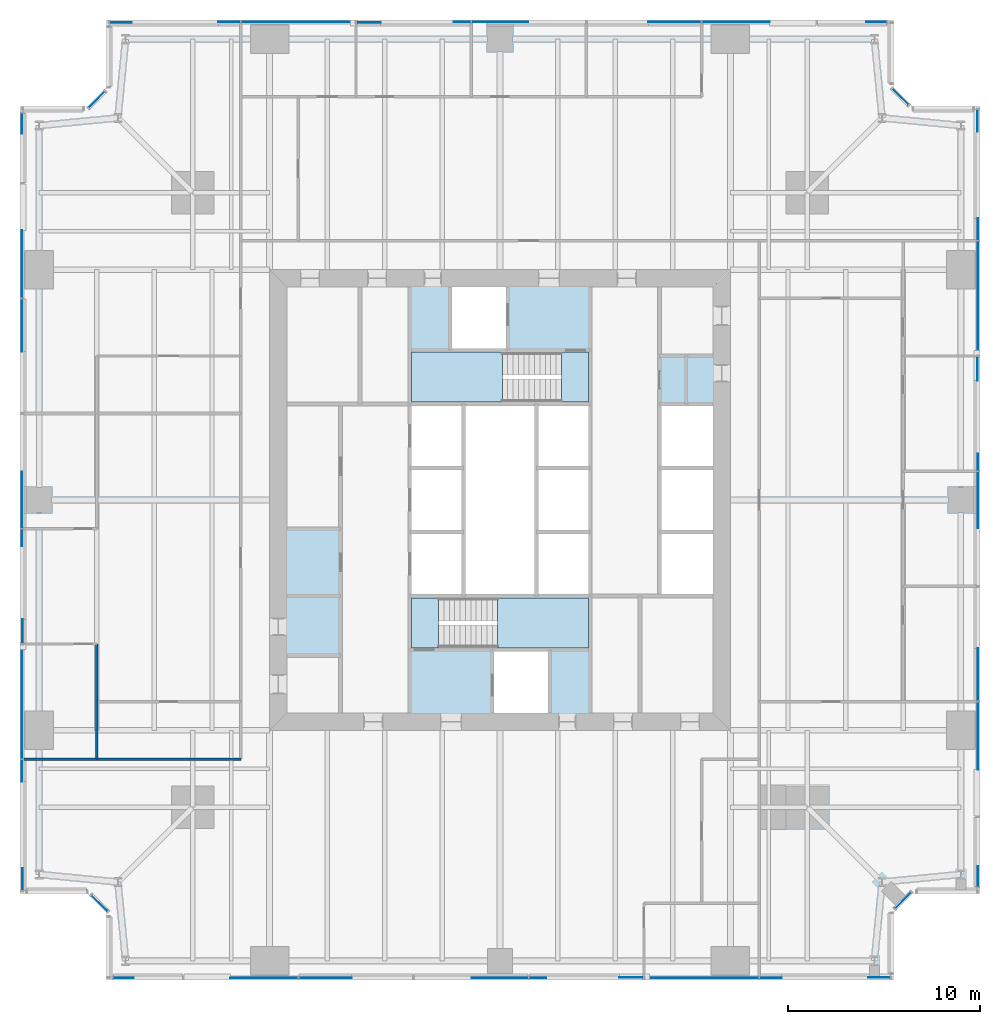
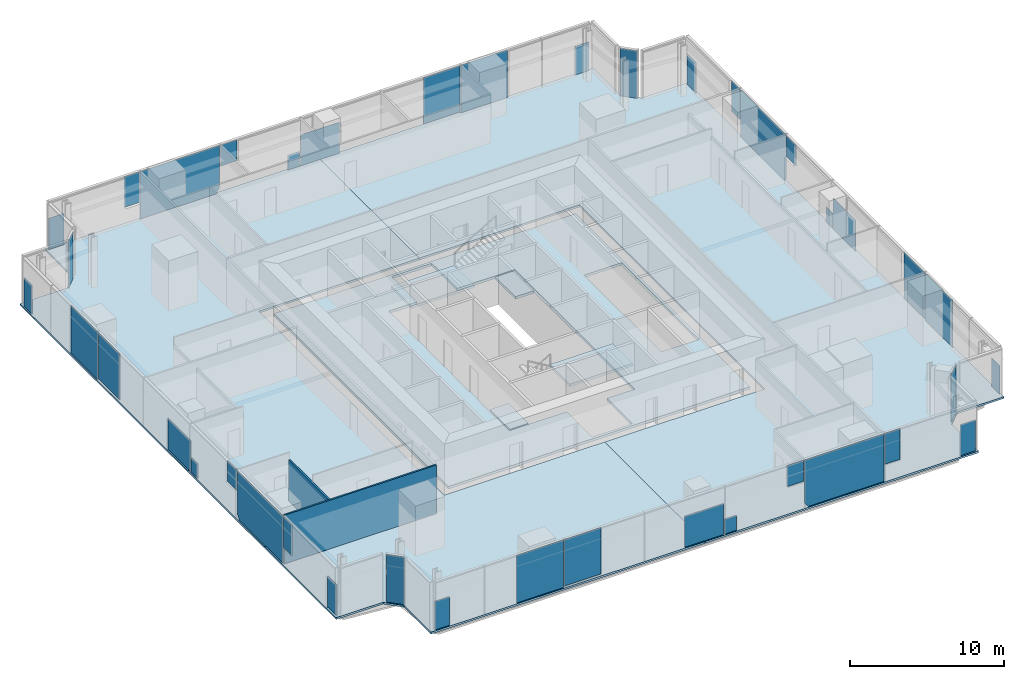
# One storey, part 8 of 13: 40 plates, 7 slabs, 2 walls, 10 elements without a shape of their own.
"""IFC4 building model written with IfcOpenShell, lengths in metres."""

from ifc_helpers import new_model, si_unit, direction, frame, frame_2d, origin, origin_2d, place, context, subcontext, project, spatial, polyline, rectangle, outline, extrude, material, layer, layer_set, type_object, element, aggregate, save


model = new_model("IFC4")

# Units and contexts
model_context = context("Model", 3, precision=1e-05, world=origin(), true_north=direction((0.0, 1.0)))
body_context = subcontext(model_context, "Body", "Model", "MODEL_VIEW")
ifc_project = project(units=[si_unit("LENGTHUNIT", "METRE"), si_unit("AREAUNIT", "SQUARE_METRE"), si_unit("VOLUMEUNIT", "CUBIC_METRE"), si_unit("PLANEANGLEUNIT", "RADIAN"), si_unit("MASSUNIT", "GRAM", prefix="KILO")], contexts=[model_context])

# Site, building, storey
site_placement = place(None, origin())
site = spatial("IfcSite", under=ifc_project, at=site_placement, CompositionType="ELEMENT")
building_placement = place(site_placement, origin())
building = spatial("IfcBuilding", under=site, at=building_placement, Name="Fenwick Lantern Interchange", CompositionType="ELEMENT")
storey_placement = place(building_placement, frame((0.0, 0.0, 138.39990234375)))
storey = spatial("IfcBuildingStorey", under=building, at=storey_placement, Name="L32", CompositionType="ELEMENT", Elevation=138.39990234375)

# Slabs
ifc_material_1 = material(Name="Concrete f'c 35 MPa", Category="concrete")
ifc_layer_1 = layer(ifc_material_1, 0.199951171875)
ifc_layer_set_1 = layer_set([ifc_layer_1], Name="CORE FLOOR SLAB 200")
slab_type_1 = type_object("IfcSlabType", Name="CORE FLOOR SLAB 200", PredefinedType="FLOOR", material=ifc_layer_set_1)
slab_1_placement = place(storey_placement, frame((0.0, 0.0, -0.199951171875)))
element("IfcSlab", 1, at=slab_1_placement, inside=storey, type_object=slab_type_1, Name="L32/SLAB/CORE", PredefinedType="FLOOR", context=body_context, shape_type="SweptSolid", body=[
    extrude(outline(polyline([(13.699951171875, 36.300048828125), (36.300048828125, 36.300048828125), (36.300048828125, 13.699951171875), (13.699951171875, 13.699951171875), (13.699951171875, 36.300048828125)]), holes=[polyline([(29.699951171875, 17.199951171875), (29.699951171875, 20.0), (29.699951171875, 23.333251953125), (29.699951171875, 26.666748046875), (29.699951171875, 30.0), (29.699951171875, 32.800048828125), (25.39990234375, 32.800048828125), (25.39990234375, 36.10009765625), (22.39990234375, 36.10009765625), (22.39990234375, 32.800048828125), (20.300048828125, 32.800048828125), (20.300048828125, 30.0), (20.300048828125, 26.666748046875), (20.300048828125, 23.333251953125), (20.300048828125, 20.0), (20.300048828125, 17.199951171875), (24.60009765625, 17.199951171875), (24.60009765625, 13.89990234375), (27.60009765625, 13.89990234375), (27.60009765625, 17.199951171875), (29.699951171875, 17.199951171875)]), polyline([(33.300048828125, 23.333251953125), (33.300048828125, 20.0), (36.10009765625, 20.0), (36.10009765625, 23.333251953125), (36.10009765625, 26.666748046875), (36.10009765625, 30.0), (33.300048828125, 30.0), (33.300048828125, 26.666748046875), (33.300048828125, 23.333251953125)])]), origin(), (0.0, 0.0, 1.0), 0.199951171875),
])
ifc_material_2 = material(Name="Concrete f'c 35 MPa", Category="concrete")
ifc_layer_2 = layer(ifc_material_2, 0.14990234375)
ifc_layer_set_2 = layer_set([ifc_layer_2], Name="Concrete f'c 35 MPa")
slab_type_2 = type_object("IfcSlabType", Name="FLOOR SLAB 150", PredefinedType="FLOOR", material=ifc_layer_set_2)
slab_2_placement = place(storey_placement, frame((0.0, 0.0, -0.14990234375)))
element("IfcSlab", 2, at=slab_2_placement, inside=storey, type_object=slab_type_2, Name="L32/SLAB/FW", PredefinedType="FLOOR", context=body_context, shape_type="SweptSolid", body=[
    extrude(outline(polyline([(4.5, 0.0), (4.5, 3.5), (3.5, 4.5), (0.0, 4.5), (0.0, 45.5), (3.5, 45.5), (4.5, 46.5), (4.5, 50.0), (25.0, 50.0), (25.0, 37.0), (13.0, 37.0), (13.0, 13.0), (25.0, 13.0), (25.0, 0.0), (4.5, 0.0)])), origin(), (0.0, 0.0, 1.0), 0.14990234375),
])
slab_3_placement = place(storey_placement, frame((0.0, 0.0, -0.14990234375)))
element("IfcSlab", 3, at=slab_3_placement, inside=storey, type_object=slab_type_2, Name="L32/SLAB/FE", PredefinedType="FLOOR", context=body_context, shape_type="SweptSolid", body=[
    extrude(outline(polyline([(45.5, 50.0), (45.5, 46.5), (46.5, 45.5), (50.0, 45.5), (50.0, 4.5), (46.5, 4.5), (45.5, 3.5), (45.5, 0.0), (25.0, 0.0), (25.0, 13.0), (37.0, 13.0), (37.0, 37.0), (25.0, 37.0), (25.0, 50.0), (45.5, 50.0)])), origin(), (0.0, 0.0, 1.0), 0.14990234375),
])

# Curtain wall, plates
ifc_material_3 = material(Name="Aluminium curtain wall frame", Category="aluminium")
curtain_wall_type = type_object("IfcCurtainWallType", Name="OFFICE CURTAIN WALL", PredefinedType="USERDEFINED", material=ifc_material_3)
curtain_wall_1_placement = place(storey_placement, origin())
curtain_wall_1 = element("IfcCurtainWall", 4, at=curtain_wall_1_placement, inside=storey, type_object=curtain_wall_type, Name="Office curtain wall 01", ObjectType="OFFICE CURTAIN WALL", PredefinedType="USERDEFINED")
ifc_material_4 = material(Name="Vision glass, clear low-iron double glazed", Category="glass")
ifc_layer_3 = layer(ifc_material_4, 0.031982421875)
ifc_layer_set_3 = layer_set([ifc_layer_3], Name="OFFICE CURTAIN WALL PANEL 32")
plate_type = type_object("IfcPlateType", Name="OFFICE CURTAIN WALL PANEL 32", PredefinedType="CURTAIN_PANEL", material=ifc_layer_set_3)
plate_1_placement = place(storey_placement, frame((4.60009765625, 0.10009765625, 0.0), z_axis=(0.0, 0.0, 1.0), x_axis=(1.0, 0.0, 0.0)))
plate_1 = element("IfcPlate", 5, at=plate_1_placement, type_object=plate_type, Name="L32/CW/01/P00a", PredefinedType="CURTAIN_PANEL", context=body_context, shape_type="SweptSolid", body=[
    extrude(outline(polyline([(0.264892578125, 0.0), (1.320068359375, 0.0), (1.320068359375, 2.257080078125), (0.264892578125, 2.257080078125), (0.264892578125, 0.0)])), frame((0.0, 0.01611328125, 0.0), z_axis=(0.0, -1.0, 0.0), x_axis=(1.0, 0.0, 0.0)), (0.0, 0.0, 1.0), 0.031982421875),
])
plate_2_placement = place(storey_placement, frame((4.60009765625, 0.10009765625, 0.0), z_axis=(0.0, 0.0, 1.0), x_axis=(1.0, 0.0, 0.0)))
plate_2 = element("IfcPlate", 6, at=plate_2_placement, type_object=plate_type, Name="L32/CW/01/P01a", PredefinedType="CURTAIN_PANEL", context=body_context, shape_type="SweptSolid", body=[
    extrude(outline(polyline([(6.35595703125, 0.0), (9.867431640625, 0.0), (9.867431640625, 3.75), (6.35595703125, 3.75), (6.35595703125, 0.0)])), frame((0.0, 0.01611328125, 0.0), z_axis=(0.0, -1.0, 0.0), x_axis=(1.0, 0.0, 0.0)), (0.0, 0.0, 1.0), 0.031982421875),
])
plate_3_placement = place(storey_placement, frame((4.60009765625, 0.10009765625, 0.0908203125), z_axis=(0.0, 0.0, 1.0), x_axis=(1.0, 0.0, 0.0)))
plate_3 = element("IfcPlate", 7, at=plate_3_placement, type_object=plate_type, Name="L32/CW/01/P02a", PredefinedType="CURTAIN_PANEL", context=body_context, shape_type="SweptSolid", body=[
    extrude(outline(polyline([(9.9326171875, 0.0), (12.672607421875, 0.0), (12.672607421875, 3.6591796875), (9.9326171875, 3.6591796875), (9.9326171875, 0.0)])), frame((0.0, 0.01611328125, 0.0), z_axis=(0.0, -1.0, 0.0), x_axis=(1.0, 0.0, 0.0)), (0.0, 0.0, 1.0), 0.031982421875),
])
plate_4_placement = place(storey_placement, frame((4.60009765625, 0.10009765625, 0.0), z_axis=(0.0, 0.0, 1.0), x_axis=(1.0, 0.0, 0.0)))
plate_4 = element("IfcPlate", 8, at=plate_4_placement, type_object=plate_type, Name="L32/CW/01/P03a", PredefinedType="CURTAIN_PANEL", context=body_context, shape_type="SweptSolid", body=[
    extrude(outline(polyline([(18.9345703125, 0.0), (21.864501953125, 0.0), (21.864501953125, 2.440185546875), (18.9345703125, 2.440185546875), (18.9345703125, 0.0)])), frame((0.0, 0.01611328125, 0.0), z_axis=(0.0, -1.0, 0.0), x_axis=(1.0, 0.0, 0.0)), (0.0, 0.0, 1.0), 0.031982421875),
])
plate_5_placement = place(storey_placement, frame((4.60009765625, 0.10009765625, 0.0), z_axis=(0.0, 0.0, 1.0), x_axis=(1.0, 0.0, 0.0)))
plate_5 = element("IfcPlate", 9, at=plate_5_placement, type_object=plate_type, Name="L32/CW/01/P04a", PredefinedType="CURTAIN_PANEL", context=body_context, shape_type="SweptSolid", body=[
    extrude(outline(polyline([(21.9326171875, 0.0), (22.8125, 0.0), (22.8125, 1.177490234375), (21.9326171875, 1.177490234375), (21.9326171875, 0.0)])), frame((0.0, 0.01611328125, 0.0), z_axis=(0.0, -1.0, 0.0), x_axis=(1.0, 0.0, 0.0)), (0.0, 0.0, 1.0), 0.031982421875),
])
plate_6_placement = place(storey_placement, frame((4.60009765625, 0.10009765625, 2.0966796875), z_axis=(0.0, 0.0, 1.0), x_axis=(1.0, 0.0, 0.0)))
plate_6 = element("IfcPlate", 10, at=plate_6_placement, type_object=plate_type, Name="L32/CW/01/P04b", PredefinedType="CURTAIN_PANEL", context=body_context, shape_type="SweptSolid", body=[
    extrude(outline(polyline([(26.623046875, 0.0), (27.867431640625, 0.0), (27.867431640625, 1.6533203125), (26.623046875, 1.6533203125), (26.623046875, 0.0)])), frame((0.0, 0.0498046875, 0.0), z_axis=(0.0, -1.0, 0.0), x_axis=(1.0, 0.0, 0.0)), (0.0, 0.0, 1.0), 0.031982421875),
])
plate_7_placement = place(storey_placement, frame((4.60009765625, 0.10009765625, 0.0), z_axis=(0.0, 0.0, 1.0), x_axis=(1.0, 0.0, 0.0)))
plate_7 = element("IfcPlate", 11, at=plate_7_placement, type_object=plate_type, Name="L32/CW/01/P05a", PredefinedType="CURTAIN_PANEL", context=body_context, shape_type="SweptSolid", body=[
    extrude(outline(polyline([(28.195556640625, 0.0), (33.867431640625, 0.0), (33.867431640625, 3.75), (27.9326171875, 3.75), (27.9326171875, 0.350830078125), (28.195556640625, 0.0)])), frame((0.0, 0.01611328125, 0.0), z_axis=(0.0, -1.0, 0.0), x_axis=(1.0, 0.0, 0.0)), (0.0, 0.0, 1.0), 0.031982421875),
])
plate_8_placement = place(storey_placement, frame((4.60009765625, 0.10009765625, 1.32568359375), z_axis=(0.0, 0.0, 1.0), x_axis=(1.0, 0.0, 0.0)))
plate_8 = element("IfcPlate", 12, at=plate_8_placement, type_object=plate_type, Name="L32/CW/01/P06a", PredefinedType="CURTAIN_PANEL", context=body_context, shape_type="SweptSolid", body=[
    extrude(outline(polyline([(33.9326171875, 0.0), (35.0673828125, 0.0), (35.0673828125, 2.42431640625), (33.9326171875, 2.42431640625), (33.9326171875, 0.0)])), frame((0.0, 0.01611328125, 0.0), z_axis=(0.0, -1.0, 0.0), x_axis=(1.0, 0.0, 0.0)), (0.0, 0.0, 1.0), 0.031982421875),
])
plate_9_placement = place(storey_placement, frame((4.60009765625, 0.10009765625, 0.0), z_axis=(0.0, 0.0, 1.0), x_axis=(1.0, 0.0, 0.0)))
plate_9 = element("IfcPlate", 13, at=plate_9_placement, type_object=plate_type, Name="L32/CW/01/P06b", PredefinedType="CURTAIN_PANEL", context=body_context, shape_type="SweptSolid", body=[
    extrude(outline(polyline([(39.576904296875, 0.0), (40.735107421875, 0.0), (40.735107421875, 2.464111328125), (39.576904296875, 2.464111328125), (39.576904296875, 0.0)])), frame((0.0, 0.0498046875, 0.0), z_axis=(0.0, -1.0, 0.0), x_axis=(1.0, 0.0, 0.0)), (0.0, 0.0, 1.0), 0.031982421875),
])
aggregate(curtain_wall_1, [plate_1, plate_2, plate_3, plate_4, plate_5, plate_6, plate_7, plate_8, plate_9])

# Curtain wall, plate
curtain_wall_2_placement = place(storey_placement, origin())
curtain_wall_2 = element("IfcCurtainWall", 14, at=curtain_wall_2_placement, inside=storey, type_object=curtain_wall_type, Name="Office curtain wall 03", ObjectType="OFFICE CURTAIN WALL", PredefinedType="USERDEFINED")
plate_10_placement = place(storey_placement, frame((46.0, 4.141357421875, 0.0), z_axis=(0.0, 0.0, 1.0), x_axis=(0.707106781187, 0.707106781187, 0.0)))
plate_10 = element("IfcPlate", 15, at=plate_10_placement, type_object=plate_type, Name="L32/CW/03/P00", PredefinedType="CURTAIN_PANEL", context=body_context, shape_type="SweptSolid", body=[
    extrude(rectangle(XDim=1.1669921875, YDim=0.031982421875, at=origin_2d()), origin(), (0.0, 0.0, 1.0), 3.75),
])
aggregate(curtain_wall_2, [plate_10])

# Curtain wall, plates
curtain_wall_3_placement = place(storey_placement, origin())
curtain_wall_3 = element("IfcCurtainWall", 16, at=curtain_wall_3_placement, inside=storey, type_object=curtain_wall_type, Name="Office curtain wall 05", ObjectType="OFFICE CURTAIN WALL", PredefinedType="USERDEFINED")
plate_11_placement = place(storey_placement, frame((49.89990234375, 4.60009765625, 0.0), z_axis=(0.0, 0.0, 1.0), x_axis=(0.0, 1.0, 0.0)))
plate_11 = element("IfcPlate", 17, at=plate_11_placement, type_object=plate_type, Name="L32/CW/05/P00a", PredefinedType="CURTAIN_PANEL", context=body_context, shape_type="SweptSolid", body=[
    extrude(outline(polyline([(0.264892578125, 0.0), (1.320068359375, 0.0), (1.320068359375, 2.257080078125), (0.264892578125, 2.257080078125), (0.264892578125, 0.0)])), frame((0.0, 0.01611328125, 0.0), z_axis=(0.0, -1.0, 0.0), x_axis=(1.0, 0.0, 0.0)), (0.0, 0.0, 1.0), 0.031982421875),
])
plate_12_placement = place(storey_placement, frame((49.89990234375, 4.60009765625, 0.0), z_axis=(0.0, 0.0, 1.0), x_axis=(0.0, 1.0, 0.0)))
plate_12 = element("IfcPlate", 18, at=plate_12_placement, type_object=plate_type, Name="L32/CW/05/P01a", PredefinedType="CURTAIN_PANEL", context=body_context, shape_type="SweptSolid", body=[
    extrude(outline(polyline([(6.35595703125, 0.0), (9.867431640625, 0.0), (9.867431640625, 3.75), (6.35595703125, 3.75), (6.35595703125, 0.0)])), frame((0.0, 0.01611328125, 0.0), z_axis=(0.0, -1.0, 0.0), x_axis=(1.0, 0.0, 0.0)), (0.0, 0.0, 1.0), 0.031982421875),
])
plate_13_placement = place(storey_placement, frame((49.89990234375, 4.60009765625, 0.0908203125), z_axis=(0.0, 0.0, 1.0), x_axis=(0.0, 1.0, 0.0)))
plate_13 = element("IfcPlate", 19, at=plate_13_placement, type_object=plate_type, Name="L32/CW/05/P02a", PredefinedType="CURTAIN_PANEL", context=body_context, shape_type="SweptSolid", body=[
    extrude(outline(polyline([(9.9326171875, 0.0), (12.672607421875, 0.0), (12.672607421875, 3.6591796875), (9.9326171875, 3.6591796875), (9.9326171875, 0.0)])), frame((0.0, 0.01611328125, 0.0), z_axis=(0.0, -1.0, 0.0), x_axis=(1.0, 0.0, 0.0)), (0.0, 0.0, 1.0), 0.031982421875),
])
plate_14_placement = place(storey_placement, frame((49.89990234375, 4.60009765625, 0.0), z_axis=(0.0, 0.0, 1.0), x_axis=(0.0, 1.0, 0.0)))
plate_14 = element("IfcPlate", 20, at=plate_14_placement, type_object=plate_type, Name="L32/CW/05/P03a", PredefinedType="CURTAIN_PANEL", context=body_context, shape_type="SweptSolid", body=[
    extrude(outline(polyline([(18.9345703125, 0.0), (21.864501953125, 0.0), (21.864501953125, 2.440185546875), (18.9345703125, 2.440185546875), (18.9345703125, 0.0)])), frame((0.0, 0.01611328125, 0.0), z_axis=(0.0, -1.0, 0.0), x_axis=(1.0, 0.0, 0.0)), (0.0, 0.0, 1.0), 0.031982421875),
])
plate_15_placement = place(storey_placement, frame((49.89990234375, 4.60009765625, 0.0), z_axis=(0.0, 0.0, 1.0), x_axis=(0.0, 1.0, 0.0)))
plate_15 = element("IfcPlate", 21, at=plate_15_placement, type_object=plate_type, Name="L32/CW/05/P04a", PredefinedType="CURTAIN_PANEL", context=body_context, shape_type="SweptSolid", body=[
    extrude(outline(polyline([(21.9326171875, 0.0), (22.8125, 0.0), (22.8125, 1.177490234375), (21.9326171875, 1.177490234375), (21.9326171875, 0.0)])), frame((0.0, 0.01611328125, 0.0), z_axis=(0.0, -1.0, 0.0), x_axis=(1.0, 0.0, 0.0)), (0.0, 0.0, 1.0), 0.031982421875),
])
plate_16_placement = place(storey_placement, frame((49.89990234375, 4.60009765625, 2.0966796875), z_axis=(0.0, 0.0, 1.0), x_axis=(0.0, 1.0, 0.0)))
plate_16 = element("IfcPlate", 22, at=plate_16_placement, type_object=plate_type, Name="L32/CW/05/P04b", PredefinedType="CURTAIN_PANEL", context=body_context, shape_type="SweptSolid", body=[
    extrude(outline(polyline([(26.623046875, 0.0), (27.867431640625, 0.0), (27.867431640625, 1.6533203125), (26.623046875, 1.6533203125), (26.623046875, 0.0)])), frame((0.0, 0.0498046875, 0.0), z_axis=(0.0, -1.0, 0.0), x_axis=(1.0, 0.0, 0.0)), (0.0, 0.0, 1.0), 0.031982421875),
])
plate_17_placement = place(storey_placement, frame((49.89990234375, 4.60009765625, 0.0), z_axis=(0.0, 0.0, 1.0), x_axis=(0.0, 1.0, 0.0)))
plate_17 = element("IfcPlate", 23, at=plate_17_placement, type_object=plate_type, Name="L32/CW/05/P05a", PredefinedType="CURTAIN_PANEL", context=body_context, shape_type="SweptSolid", body=[
    extrude(outline(polyline([(28.195556640625, 0.0), (33.867431640625, 0.0), (33.867431640625, 3.75), (27.9326171875, 3.75), (27.9326171875, 0.350830078125), (28.195556640625, 0.0)])), frame((0.0, 0.01611328125, 0.0), z_axis=(0.0, -1.0, 0.0), x_axis=(1.0, 0.0, 0.0)), (0.0, 0.0, 1.0), 0.031982421875),
])
plate_18_placement = place(storey_placement, frame((49.89990234375, 4.60009765625, 1.32568359375), z_axis=(0.0, 0.0, 1.0), x_axis=(0.0, 1.0, 0.0)))
plate_18 = element("IfcPlate", 24, at=plate_18_placement, type_object=plate_type, Name="L32/CW/05/P06a", PredefinedType="CURTAIN_PANEL", context=body_context, shape_type="SweptSolid", body=[
    extrude(outline(polyline([(33.9326171875, 0.0), (35.0673828125, 0.0), (35.0673828125, 2.42431640625), (33.9326171875, 2.42431640625), (33.9326171875, 0.0)])), frame((0.0, 0.01611328125, 0.0), z_axis=(0.0, -1.0, 0.0), x_axis=(1.0, 0.0, 0.0)), (0.0, 0.0, 1.0), 0.031982421875),
])
plate_19_placement = place(storey_placement, frame((49.89990234375, 4.60009765625, 0.0), z_axis=(0.0, 0.0, 1.0), x_axis=(0.0, 1.0, 0.0)))
plate_19 = element("IfcPlate", 25, at=plate_19_placement, type_object=plate_type, Name="L32/CW/05/P06b", PredefinedType="CURTAIN_PANEL", context=body_context, shape_type="SweptSolid", body=[
    extrude(outline(polyline([(39.576904296875, 0.0), (40.735107421875, 0.0), (40.735107421875, 2.464111328125), (39.576904296875, 2.464111328125), (39.576904296875, 0.0)])), frame((0.0, 0.0498046875, 0.0), z_axis=(0.0, -1.0, 0.0), x_axis=(1.0, 0.0, 0.0)), (0.0, 0.0, 1.0), 0.031982421875),
])
aggregate(curtain_wall_3, [plate_11, plate_12, plate_13, plate_14, plate_15, plate_16, plate_17, plate_18, plate_19])

# Curtain wall, plate
curtain_wall_4_placement = place(storey_placement, origin())
curtain_wall_4 = element("IfcCurtainWall", 26, at=curtain_wall_4_placement, inside=storey, type_object=curtain_wall_type, Name="Office curtain wall 07", ObjectType="OFFICE CURTAIN WALL", PredefinedType="USERDEFINED")
plate_20_placement = place(storey_placement, frame((45.858642578125, 46.0, 0.0), z_axis=(0.0, 0.0, 1.0), x_axis=(-0.707106781187, 0.707106781187, 0.0)))
plate_20 = element("IfcPlate", 27, at=plate_20_placement, type_object=plate_type, Name="L32/CW/07/P00", PredefinedType="CURTAIN_PANEL", context=body_context, shape_type="SweptSolid", body=[
    extrude(rectangle(XDim=1.1669921875, YDim=0.031982421875, at=origin_2d()), origin(), (0.0, 0.0, 1.0), 3.75),
])
aggregate(curtain_wall_4, [plate_20])

# Curtain wall, plates
curtain_wall_5_placement = place(storey_placement, origin())
curtain_wall_5 = element("IfcCurtainWall", 28, at=curtain_wall_5_placement, inside=storey, type_object=curtain_wall_type, Name="Office curtain wall 09", ObjectType="OFFICE CURTAIN WALL", PredefinedType="USERDEFINED")
plate_21_placement = place(storey_placement, frame((45.39990234375, 49.89990234375, 0.0), z_axis=(0.0, 0.0, 1.0), x_axis=(-1.0, 0.0, 0.0)))
plate_21 = element("IfcPlate", 29, at=plate_21_placement, type_object=plate_type, Name="L32/CW/09/P00a", PredefinedType="CURTAIN_PANEL", context=body_context, shape_type="SweptSolid", body=[
    extrude(outline(polyline([(0.264892578125, 0.0), (1.320068359375, 0.0), (1.320068359375, 2.257080078125), (0.264892578125, 2.257080078125), (0.264892578125, 0.0)])), frame((0.0, 0.01611328125, 0.0), z_axis=(0.0, -1.0, 0.0), x_axis=(1.0, 0.0, 0.0)), (0.0, 0.0, 1.0), 0.031982421875),
])
plate_22_placement = place(storey_placement, frame((45.39990234375, 49.89990234375, 0.0), z_axis=(0.0, 0.0, 1.0), x_axis=(-1.0, 0.0, 0.0)))
plate_22 = element("IfcPlate", 30, at=plate_22_placement, type_object=plate_type, Name="L32/CW/09/P01a", PredefinedType="CURTAIN_PANEL", context=body_context, shape_type="SweptSolid", body=[
    extrude(outline(polyline([(6.35595703125, 0.0), (9.867431640625, 0.0), (9.867431640625, 3.75), (6.35595703125, 3.75), (6.35595703125, 0.0)])), frame((0.0, 0.01611328125, 0.0), z_axis=(0.0, -1.0, 0.0), x_axis=(1.0, 0.0, 0.0)), (0.0, 0.0, 1.0), 0.031982421875),
])
plate_23_placement = place(storey_placement, frame((45.39990234375, 49.89990234375, 0.0908203125), z_axis=(0.0, 0.0, 1.0), x_axis=(-1.0, 0.0, 0.0)))
plate_23 = element("IfcPlate", 31, at=plate_23_placement, type_object=plate_type, Name="L32/CW/09/P02a", PredefinedType="CURTAIN_PANEL", context=body_context, shape_type="SweptSolid", body=[
    extrude(outline(polyline([(9.9326171875, 0.0), (12.672607421875, 0.0), (12.672607421875, 3.6591796875), (9.9326171875, 3.6591796875), (9.9326171875, 0.0)])), frame((0.0, 0.01611328125, 0.0), z_axis=(0.0, -1.0, 0.0), x_axis=(1.0, 0.0, 0.0)), (0.0, 0.0, 1.0), 0.031982421875),
])
plate_24_placement = place(storey_placement, frame((45.39990234375, 49.89990234375, 0.0), z_axis=(0.0, 0.0, 1.0), x_axis=(-1.0, 0.0, 0.0)))
plate_24 = element("IfcPlate", 32, at=plate_24_placement, type_object=plate_type, Name="L32/CW/09/P03a", PredefinedType="CURTAIN_PANEL", context=body_context, shape_type="SweptSolid", body=[
    extrude(outline(polyline([(18.9345703125, 0.0), (21.864501953125, 0.0), (21.864501953125, 2.440185546875), (18.9345703125, 2.440185546875), (18.9345703125, 0.0)])), frame((0.0, 0.01611328125, 0.0), z_axis=(0.0, -1.0, 0.0), x_axis=(1.0, 0.0, 0.0)), (0.0, 0.0, 1.0), 0.031982421875),
])
plate_25_placement = place(storey_placement, frame((45.39990234375, 49.89990234375, 0.0), z_axis=(0.0, 0.0, 1.0), x_axis=(-1.0, 0.0, 0.0)))
plate_25 = element("IfcPlate", 33, at=plate_25_placement, type_object=plate_type, Name="L32/CW/09/P04a", PredefinedType="CURTAIN_PANEL", context=body_context, shape_type="SweptSolid", body=[
    extrude(outline(polyline([(21.9326171875, 0.0), (22.8125, 0.0), (22.8125, 1.177490234375), (21.9326171875, 1.177490234375), (21.9326171875, 0.0)])), frame((0.0, 0.01611328125, 0.0), z_axis=(0.0, -1.0, 0.0), x_axis=(1.0, 0.0, 0.0)), (0.0, 0.0, 1.0), 0.031982421875),
])
plate_26_placement = place(storey_placement, frame((45.39990234375, 49.89990234375, 2.0966796875), z_axis=(0.0, 0.0, 1.0), x_axis=(-1.0, 0.0, 0.0)))
plate_26 = element("IfcPlate", 34, at=plate_26_placement, type_object=plate_type, Name="L32/CW/09/P04b", PredefinedType="CURTAIN_PANEL", context=body_context, shape_type="SweptSolid", body=[
    extrude(outline(polyline([(26.623046875, 0.0), (27.867431640625, 0.0), (27.867431640625, 1.6533203125), (26.623046875, 1.6533203125), (26.623046875, 0.0)])), frame((0.0, 0.0498046875, 0.0), z_axis=(0.0, -1.0, 0.0), x_axis=(1.0, 0.0, 0.0)), (0.0, 0.0, 1.0), 0.031982421875),
])
plate_27_placement = place(storey_placement, frame((45.39990234375, 49.89990234375, 0.0), z_axis=(0.0, 0.0, 1.0), x_axis=(-1.0, 0.0, 0.0)))
plate_27 = element("IfcPlate", 35, at=plate_27_placement, type_object=plate_type, Name="L32/CW/09/P05a", PredefinedType="CURTAIN_PANEL", context=body_context, shape_type="SweptSolid", body=[
    extrude(outline(polyline([(28.195556640625, 0.0), (33.867431640625, 0.0), (33.867431640625, 3.75), (27.9326171875, 3.75), (27.9326171875, 0.350830078125), (28.195556640625, 0.0)])), frame((0.0, 0.01611328125, 0.0), z_axis=(0.0, -1.0, 0.0), x_axis=(1.0, 0.0, 0.0)), (0.0, 0.0, 1.0), 0.031982421875),
])
plate_28_placement = place(storey_placement, frame((45.39990234375, 49.89990234375, 1.32568359375), z_axis=(0.0, 0.0, 1.0), x_axis=(-1.0, 0.0, 0.0)))
plate_28 = element("IfcPlate", 36, at=plate_28_placement, type_object=plate_type, Name="L32/CW/09/P06a", PredefinedType="CURTAIN_PANEL", context=body_context, shape_type="SweptSolid", body=[
    extrude(outline(polyline([(33.9326171875, 0.0), (35.0673828125, 0.0), (35.0673828125, 2.42431640625), (33.9326171875, 2.42431640625), (33.9326171875, 0.0)])), frame((0.0, 0.01611328125, 0.0), z_axis=(0.0, -1.0, 0.0), x_axis=(1.0, 0.0, 0.0)), (0.0, 0.0, 1.0), 0.031982421875),
])
plate_29_placement = place(storey_placement, frame((45.39990234375, 49.89990234375, 0.0), z_axis=(0.0, 0.0, 1.0), x_axis=(-1.0, 0.0, 0.0)))
plate_29 = element("IfcPlate", 37, at=plate_29_placement, type_object=plate_type, Name="L32/CW/09/P06b", PredefinedType="CURTAIN_PANEL", context=body_context, shape_type="SweptSolid", body=[
    extrude(outline(polyline([(39.576904296875, 0.0), (40.735107421875, 0.0), (40.735107421875, 2.464111328125), (39.576904296875, 2.464111328125), (39.576904296875, 0.0)])), frame((0.0, 0.0498046875, 0.0), z_axis=(0.0, -1.0, 0.0), x_axis=(1.0, 0.0, 0.0)), (0.0, 0.0, 1.0), 0.031982421875),
])
aggregate(curtain_wall_5, [plate_21, plate_22, plate_23, plate_24, plate_25, plate_26, plate_27, plate_28, plate_29])

# Curtain wall, plate
curtain_wall_6_placement = place(storey_placement, origin())
curtain_wall_6 = element("IfcCurtainWall", 38, at=curtain_wall_6_placement, inside=storey, type_object=curtain_wall_type, Name="Office curtain wall 11", ObjectType="OFFICE CURTAIN WALL", PredefinedType="USERDEFINED")
plate_30_placement = place(storey_placement, frame((4.0, 45.858642578125, 0.0), z_axis=(0.0, 0.0, 1.0), x_axis=(-0.707106781187, -0.707106781187, 0.0)))
plate_30 = element("IfcPlate", 39, at=plate_30_placement, type_object=plate_type, Name="L32/CW/11/P00", PredefinedType="CURTAIN_PANEL", context=body_context, shape_type="SweptSolid", body=[
    extrude(rectangle(XDim=1.1669921875, YDim=0.031982421875, at=origin_2d()), origin(), (0.0, 0.0, 1.0), 3.75),
])
aggregate(curtain_wall_6, [plate_30])

# Curtain wall, plates
curtain_wall_7_placement = place(storey_placement, origin())
curtain_wall_7 = element("IfcCurtainWall", 40, at=curtain_wall_7_placement, inside=storey, type_object=curtain_wall_type, Name="Office curtain wall 13", ObjectType="OFFICE CURTAIN WALL", PredefinedType="USERDEFINED")
plate_31_placement = place(storey_placement, frame((0.10009765625, 45.39990234375, 0.0), z_axis=(0.0, 0.0, 1.0), x_axis=(0.0, -1.0, 0.0)))
plate_31 = element("IfcPlate", 41, at=plate_31_placement, type_object=plate_type, Name="L32/CW/13/P00a", PredefinedType="CURTAIN_PANEL", context=body_context, shape_type="SweptSolid", body=[
    extrude(outline(polyline([(0.264892578125, 0.0), (1.320068359375, 0.0), (1.320068359375, 2.257080078125), (0.264892578125, 2.257080078125), (0.264892578125, 0.0)])), frame((0.0, 0.01611328125, 0.0), z_axis=(0.0, -1.0, 0.0), x_axis=(1.0, 0.0, 0.0)), (0.0, 0.0, 1.0), 0.031982421875),
])
plate_32_placement = place(storey_placement, frame((0.10009765625, 45.39990234375, 0.0), z_axis=(0.0, 0.0, 1.0), x_axis=(0.0, -1.0, 0.0)))
plate_32 = element("IfcPlate", 42, at=plate_32_placement, type_object=plate_type, Name="L32/CW/13/P01a", PredefinedType="CURTAIN_PANEL", context=body_context, shape_type="SweptSolid", body=[
    extrude(outline(polyline([(6.35595703125, 0.0), (9.867431640625, 0.0), (9.867431640625, 3.75), (6.35595703125, 3.75), (6.35595703125, 0.0)])), frame((0.0, 0.01611328125, 0.0), z_axis=(0.0, -1.0, 0.0), x_axis=(1.0, 0.0, 0.0)), (0.0, 0.0, 1.0), 0.031982421875),
])
plate_33_placement = place(storey_placement, frame((0.10009765625, 45.39990234375, 0.0908203125), z_axis=(0.0, 0.0, 1.0), x_axis=(0.0, -1.0, 0.0)))
plate_33 = element("IfcPlate", 43, at=plate_33_placement, type_object=plate_type, Name="L32/CW/13/P02a", PredefinedType="CURTAIN_PANEL", context=body_context, shape_type="SweptSolid", body=[
    extrude(outline(polyline([(9.9326171875, 0.0), (12.672607421875, 0.0), (12.672607421875, 3.6591796875), (9.9326171875, 3.6591796875), (9.9326171875, 0.0)])), frame((0.0, 0.01611328125, 0.0), z_axis=(0.0, -1.0, 0.0), x_axis=(1.0, 0.0, 0.0)), (0.0, 0.0, 1.0), 0.031982421875),
])
plate_34_placement = place(storey_placement, frame((0.10009765625, 45.39990234375, 0.0), z_axis=(0.0, 0.0, 1.0), x_axis=(0.0, -1.0, 0.0)))
plate_34 = element("IfcPlate", 44, at=plate_34_placement, type_object=plate_type, Name="L32/CW/13/P03a", PredefinedType="CURTAIN_PANEL", context=body_context, shape_type="SweptSolid", body=[
    extrude(outline(polyline([(18.9345703125, 0.0), (21.864501953125, 0.0), (21.864501953125, 2.440185546875), (18.9345703125, 2.440185546875), (18.9345703125, 0.0)])), frame((0.0, 0.01611328125, 0.0), z_axis=(0.0, -1.0, 0.0), x_axis=(1.0, 0.0, 0.0)), (0.0, 0.0, 1.0), 0.031982421875),
])
plate_35_placement = place(storey_placement, frame((0.10009765625, 45.39990234375, 0.0), z_axis=(0.0, 0.0, 1.0), x_axis=(0.0, -1.0, 0.0)))
plate_35 = element("IfcPlate", 45, at=plate_35_placement, type_object=plate_type, Name="L32/CW/13/P04a", PredefinedType="CURTAIN_PANEL", context=body_context, shape_type="SweptSolid", body=[
    extrude(outline(polyline([(21.9326171875, 0.0), (22.8125, 0.0), (22.8125, 1.177490234375), (21.9326171875, 1.177490234375), (21.9326171875, 0.0)])), frame((0.0, 0.01611328125, 0.0), z_axis=(0.0, -1.0, 0.0), x_axis=(1.0, 0.0, 0.0)), (0.0, 0.0, 1.0), 0.031982421875),
])
plate_36_placement = place(storey_placement, frame((0.10009765625, 45.39990234375, 2.0966796875), z_axis=(0.0, 0.0, 1.0), x_axis=(0.0, -1.0, 0.0)))
plate_36 = element("IfcPlate", 46, at=plate_36_placement, type_object=plate_type, Name="L32/CW/13/P04b", PredefinedType="CURTAIN_PANEL", context=body_context, shape_type="SweptSolid", body=[
    extrude(outline(polyline([(26.623046875, 0.0), (27.867431640625, 0.0), (27.867431640625, 1.6533203125), (26.623046875, 1.6533203125), (26.623046875, 0.0)])), frame((0.0, 0.0498046875, 0.0), z_axis=(0.0, -1.0, 0.0), x_axis=(1.0, 0.0, 0.0)), (0.0, 0.0, 1.0), 0.031982421875),
])
plate_37_placement = place(storey_placement, frame((0.10009765625, 45.39990234375, 0.0), z_axis=(0.0, 0.0, 1.0), x_axis=(0.0, -1.0, 0.0)))
plate_37 = element("IfcPlate", 47, at=plate_37_placement, type_object=plate_type, Name="L32/CW/13/P05a", PredefinedType="CURTAIN_PANEL", context=body_context, shape_type="SweptSolid", body=[
    extrude(outline(polyline([(28.195556640625, 0.0), (33.867431640625, 0.0), (33.867431640625, 3.75), (27.9326171875, 3.75), (27.9326171875, 0.350830078125), (28.195556640625, 0.0)])), frame((0.0, 0.01611328125, 0.0), z_axis=(0.0, -1.0, 0.0), x_axis=(1.0, 0.0, 0.0)), (0.0, 0.0, 1.0), 0.031982421875),
])
plate_38_placement = place(storey_placement, frame((0.10009765625, 45.39990234375, 1.32568359375), z_axis=(0.0, 0.0, 1.0), x_axis=(0.0, -1.0, 0.0)))
plate_38 = element("IfcPlate", 48, at=plate_38_placement, type_object=plate_type, Name="L32/CW/13/P06a", PredefinedType="CURTAIN_PANEL", context=body_context, shape_type="SweptSolid", body=[
    extrude(outline(polyline([(33.9326171875, 0.0), (35.0673828125, 0.0), (35.0673828125, 2.42431640625), (33.9326171875, 2.42431640625), (33.9326171875, 0.0)])), frame((0.0, 0.01611328125, 0.0), z_axis=(0.0, -1.0, 0.0), x_axis=(1.0, 0.0, 0.0)), (0.0, 0.0, 1.0), 0.031982421875),
])
plate_39_placement = place(storey_placement, frame((0.10009765625, 45.39990234375, 0.0), z_axis=(0.0, 0.0, 1.0), x_axis=(0.0, -1.0, 0.0)))
plate_39 = element("IfcPlate", 49, at=plate_39_placement, type_object=plate_type, Name="L32/CW/13/P06b", PredefinedType="CURTAIN_PANEL", context=body_context, shape_type="SweptSolid", body=[
    extrude(outline(polyline([(39.576904296875, 0.0), (40.735107421875, 0.0), (40.735107421875, 2.464111328125), (39.576904296875, 2.464111328125), (39.576904296875, 0.0)])), frame((0.0, 0.0498046875, 0.0), z_axis=(0.0, -1.0, 0.0), x_axis=(1.0, 0.0, 0.0)), (0.0, 0.0, 1.0), 0.031982421875),
])
aggregate(curtain_wall_7, [plate_31, plate_32, plate_33, plate_34, plate_35, plate_36, plate_37, plate_38, plate_39])

# Curtain wall, plate
curtain_wall_8_placement = place(storey_placement, origin())
curtain_wall_8 = element("IfcCurtainWall", 50, at=curtain_wall_8_placement, inside=storey, type_object=curtain_wall_type, Name="Office curtain wall 15", ObjectType="OFFICE CURTAIN WALL", PredefinedType="USERDEFINED")
plate_40_placement = place(storey_placement, frame((4.141357421875, 4.0, 0.0), z_axis=(0.0, 0.0, 1.0), x_axis=(0.707106781187, -0.707106781187, 0.0)))
plate_40 = element("IfcPlate", 51, at=plate_40_placement, type_object=plate_type, Name="L32/CW/15/P00", PredefinedType="CURTAIN_PANEL", context=body_context, shape_type="SweptSolid", body=[
    extrude(rectangle(XDim=1.1669921875, YDim=0.031982421875, at=origin_2d()), origin(), (0.0, 0.0, 1.0), 3.75),
])
aggregate(curtain_wall_8, [plate_40])

# Stair, slabs
ifc_material_5 = material(Name="Precast concrete f'c 35 MPa", Category="concrete")
stair_type = type_object("IfcStairType", Name="EXIT STAIR 1200", PredefinedType="HALF_TURN_STAIR", material=ifc_material_5)
stair_1_placement = place(storey_placement, origin())
stair_1 = element("IfcStair", 52, at=stair_1_placement, inside=storey, type_object=stair_type, Name="Exit stair ST1", PredefinedType="HALF_TURN_STAIR")
ifc_layer_4 = layer(ifc_material_1, 0.199951171875)
ifc_layer_set_4 = layer_set([ifc_layer_4], Name="STAIR LANDING 200")
slab_type_3 = type_object("IfcSlabType", Name="STAIR LANDING 200", PredefinedType="LANDING", material=ifc_layer_set_4)
slab_4_placement = place(storey_placement, frame((0.0, 0.0, 1.800048828125)))
slab_4 = element("IfcSlab", 53, at=slab_4_placement, type_object=slab_type_3, Name="ST1 landing 1", PredefinedType="LANDING", context=body_context, shape_type="SweptSolid", body=[
    extrude(outline(polyline([(24.8798828125, 17.300048828125), (29.60009765625, 17.300048828125), (29.60009765625, 19.89990234375), (24.8798828125, 19.89990234375), (24.8798828125, 17.300048828125)])), origin(), (0.0, 0.0, 1.0), 0.199951171875),
])
slab_5_placement = place(storey_placement, frame((0.0, 0.0, -0.199951171875)))
slab_5 = element("IfcSlab", 54, at=slab_5_placement, type_object=slab_type_3, Name="ST1 landing 2", PredefinedType="LANDING", context=body_context, shape_type="SweptSolid", body=[
    extrude(outline(polyline([(20.39990234375, 17.300048828125), (21.800048828125, 17.300048828125), (21.800048828125, 19.89990234375), (20.39990234375, 19.89990234375), (20.39990234375, 17.300048828125)])), origin(), (0.0, 0.0, 1.0), 0.199951171875),
])
aggregate(stair_1, [slab_4, slab_5])

stair_2_placement = place(storey_placement, origin())
stair_2 = element("IfcStair", 55, at=stair_2_placement, inside=storey, type_object=stair_type, Name="Exit stair ST2", PredefinedType="HALF_TURN_STAIR")
slab_6_placement = place(storey_placement, frame((0.0, 0.0, 1.800048828125)))
slab_6 = element("IfcSlab", 56, at=slab_6_placement, type_object=slab_type_3, Name="ST2 landing 1", PredefinedType="LANDING", context=body_context, shape_type="SweptSolid", body=[
    extrude(outline(polyline([(25.1201171875, 32.699951171875), (20.39990234375, 32.699951171875), (20.39990234375, 30.10009765625), (25.1201171875, 30.10009765625), (25.1201171875, 32.699951171875)])), origin(), (0.0, 0.0, 1.0), 0.199951171875),
])
slab_7_placement = place(storey_placement, frame((0.0, 0.0, -0.199951171875)))
slab_7 = element("IfcSlab", 57, at=slab_7_placement, type_object=slab_type_3, Name="ST2 landing 2", PredefinedType="LANDING", context=body_context, shape_type="SweptSolid", body=[
    extrude(outline(polyline([(29.60009765625, 32.699951171875), (28.199951171875, 32.699951171875), (28.199951171875, 30.10009765625), (29.60009765625, 30.10009765625), (29.60009765625, 32.699951171875)])), origin(), (0.0, 0.0, 1.0), 0.199951171875),
])
aggregate(stair_2, [slab_6, slab_7])

# Walls
ifc_material_6 = material(Name="Gypsum board on steel studs, acoustic", Category="steel")
ifc_layer_5 = layer(ifc_material_6, 0.125)
ifc_layer_set_5 = layer_set([ifc_layer_5], Name="OFFICE PARTITION 125")
wall_type = type_object("IfcWallType", Name="OFFICE PARTITION 125", PredefinedType="PARTITIONING", material=ifc_layer_set_5)
wall_1_placement = place(storey_placement, frame((0.14990234375, 11.5, 0.0), z_axis=(0.0, 0.0, 1.0), x_axis=(1.0, 0.0, 0.0)))
element("IfcWall", 58, at=wall_1_placement, inside=storey, type_object=wall_type, Name="L32/W/OFF/S/BACK", PredefinedType="PARTITIONING", context=body_context, shape_type="SweptSolid", body=[
    extrude(rectangle(XDim=11.35009765625, YDim=0.125, at=frame_2d((5.675048828125, 0.0))), origin(), (0.0, 0.0, 1.0), 3.85009765625),
])
wall_2_placement = place(storey_placement, frame((4.0, 17.5, 0.0), z_axis=(0.0, 0.0, 1.0), x_axis=(0.0, -1.0, 0.0)))
element("IfcWall", 59, at=wall_2_placement, inside=storey, type_object=wall_type, Name="L32/W/OFF/W/Y40-3", PredefinedType="PARTITIONING", context=body_context, shape_type="SweptSolid", body=[
    extrude(rectangle(XDim=6.0, YDim=0.125, at=frame_2d((3.0, 0.0))), origin(), (0.0, 0.0, 1.0), 3.238037109375),
])

save(model, "model.ifc")
